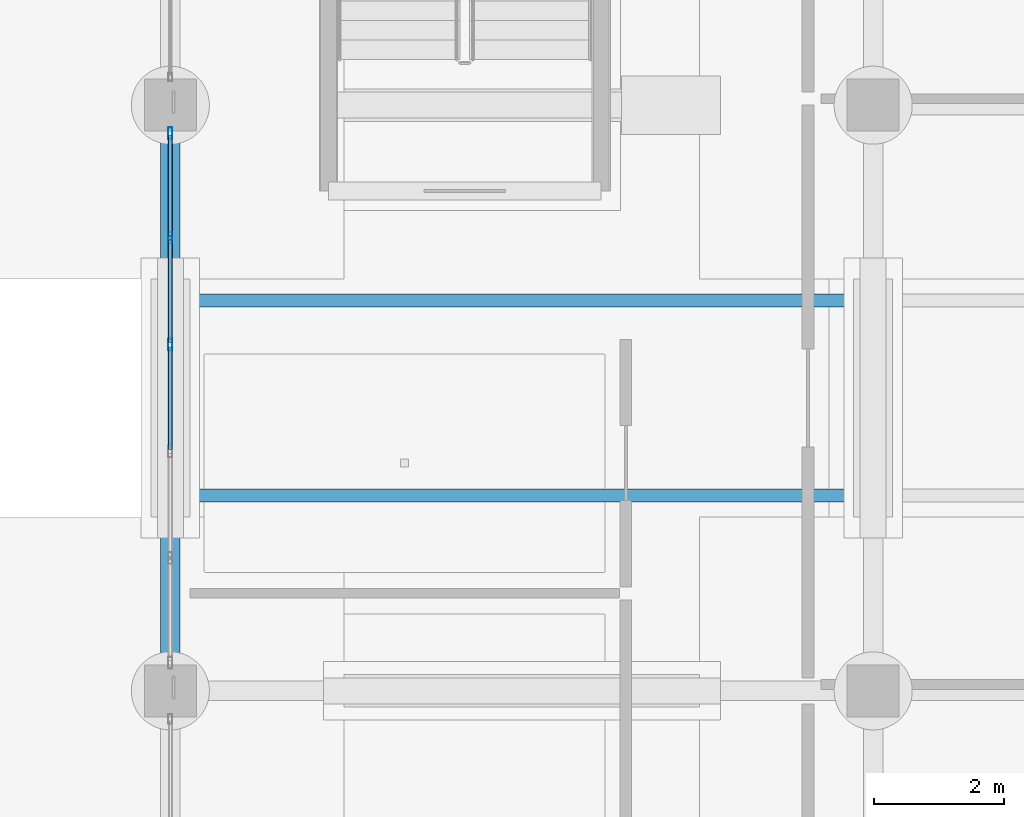
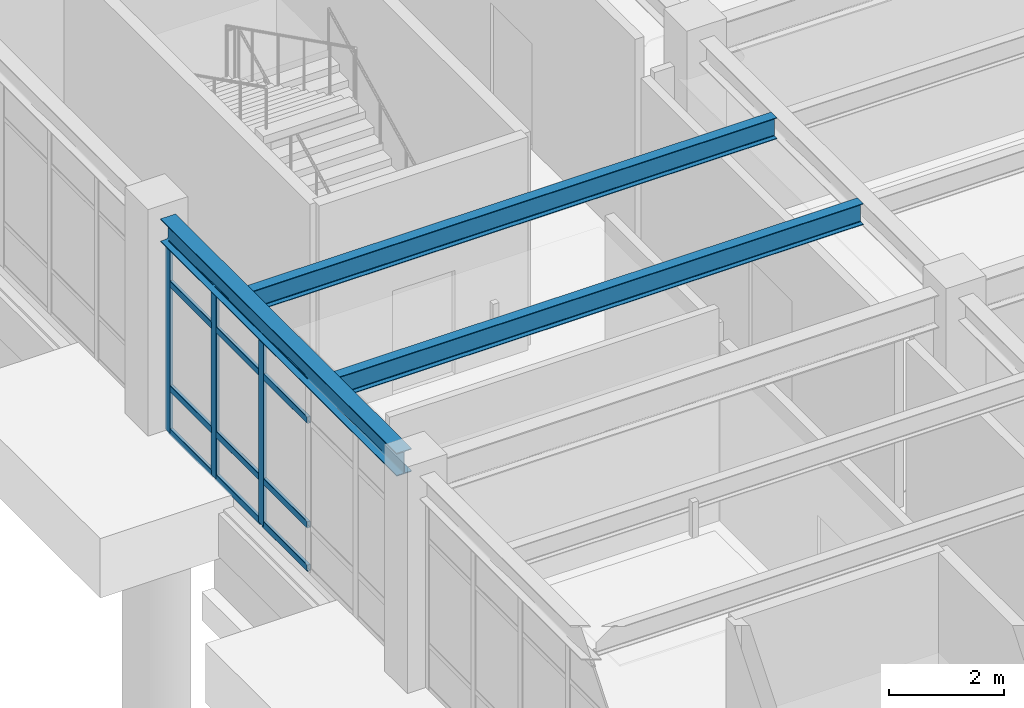
# One storey, part 41 of 98: 15 members, 3 beams, 1 element without a shape of its own.
"""IFC4 building model written with IfcOpenShell, lengths in metres."""

import ifcopenshell
import ifcopenshell.guid

model = None  # the IFC model being written
_history = None  # IfcOwnerHistory: only IFC2X3 demands one
_inside = {}  # id of a spatial element -> (the spatial element, [elements in it])
_under = {}  # id of a project, library or spatial element -> (it, [spatial elements below it])
_declared = {}  # id of a project -> (the project, [libraries it declares])
_typed = {}  # id of a type object -> (the type object, [elements of that type])
_made_of = {}  # id of a material, layer set ... -> (it, [elements and type objects made of it])


def new_model(schema):
    """Start an empty IFC model of exactly this schema.

    Asked for "IFC4X3", IfcOpenShell would pick the latest addendum, in which some entities
    have other attributes; the version numbers below select the first issue.
    IFC2X3 requires an IfcOwnerHistory on every rooted entity: one is made here for all.
    """
    global model, _history
    if schema == "IFC4X3":
        model = ifcopenshell.file(schema_version=(4, 3, 0, 0))
    else:
        model = ifcopenshell.file(schema=schema)
    _inside.clear()
    _under.clear()
    _declared.clear()
    _typed.clear()
    _made_of.clear()
    _history = None
    if model.schema == "IFC2X3":
        org = make("IfcOrganization", Name="unknown")
        user = make(
            "IfcPersonAndOrganization",
            ThePerson=make("IfcPerson", FamilyName="unknown"),
            TheOrganization=org,
        )
        app = make(
            "IfcApplication",
            ApplicationDeveloper=org,
            Version="unknown",
            ApplicationFullName="unknown",
            ApplicationIdentifier="unknown",
        )
        _history = make(
            "IfcOwnerHistory",
            OwningUser=user,
            OwningApplication=app,
            ChangeAction="ADDED",
            CreationDate=0,
        )
    return model


def make(cls, **values):
    """One entity of the class cls with the attributes given. An attribute that is None is left unset."""
    return model.create_entity(
        cls, **{name: value for name, value in values.items() if value is not None}
    )


def rooted(cls, **values):
    """An entity with a GlobalId (a new one), such as an element, a storey or a relation."""
    return make(cls, GlobalId=ifcopenshell.guid.new(), OwnerHistory=_history, **values)


def si_unit(unit_type, name, prefix=None):
    """IfcSIUnit, for example si_unit("LENGTHUNIT", "METRE", prefix="MILLI")."""
    return make("IfcSIUnit", UnitType=unit_type, Prefix=prefix, Name=name)


def assignment(units):
    """IfcUnitAssignment: the units of a project."""
    return None if units is None else make("IfcUnitAssignment", Units=units)


def point(xyz):
    """IfcCartesianPoint."""
    return None if xyz is None else make("IfcCartesianPoint", Coordinates=xyz)


def direction(xyz):
    """IfcDirection."""
    return None if xyz is None else make("IfcDirection", DirectionRatios=xyz)


def frame(location, z_axis=None, x_axis=None):
    """IfcAxis2Placement3D, a coordinate frame: its origin and axes. An axis left out is left unset."""
    return make(
        "IfcAxis2Placement3D",
        Location=point(location),
        Axis=direction(z_axis),
        RefDirection=direction(x_axis),
    )


def frame_2d(location, x_axis=None):
    """IfcAxis2Placement2D, a coordinate frame in the plane: its origin and x axis."""
    return make(
        "IfcAxis2Placement2D", Location=point(location), RefDirection=direction(x_axis)
    )


def origin():
    """The frame at (0, 0, 0) with its axes left unset."""
    return frame((0.0, 0.0, 0.0))


def origin_2d():
    """The frame at (0, 0) in the plane with its x axis left unset."""
    return frame_2d((0.0, 0.0))


def place(relative_to, where):
    """IfcLocalPlacement: puts the frame where relative to a parent placement (None: the world)."""
    return make(
        "IfcLocalPlacement", PlacementRelTo=relative_to, RelativePlacement=where
    )


def context(
    kind, dimensions, precision=None, world=None, true_north=None, identifier=None
):
    """IfcGeometricRepresentationContext, for example the 3D "Model" context."""
    return make(
        "IfcGeometricRepresentationContext",
        ContextIdentifier=identifier,
        ContextType=kind,
        CoordinateSpaceDimension=dimensions,
        Precision=precision,
        WorldCoordinateSystem=world,
        TrueNorth=true_north,
    )


def subcontext(parent, identifier, kind, view, scale=None):
    """IfcGeometricRepresentationSubContext, for example "Body" below "Model"."""
    return make(
        "IfcGeometricRepresentationSubContext",
        ContextIdentifier=identifier,
        ContextType=kind,
        ParentContext=parent,
        TargetScale=scale,
        TargetView=view,
    )


def project(units=None, contexts=None):
    """IfcProject with its units and contexts."""
    return rooted(
        "IfcProject",
        Name="project",
        RepresentationContexts=contexts,
        UnitsInContext=assignment(units),
    )


def spatial(cls, under=None, at=None, **own):
    """A site, building, storey or space (cls), placed at a placement, below another one or the project."""
    s = rooted(cls, ObjectPlacement=at, **own)
    if under is not None:
        _under.setdefault(under.id(), (under, []))[1].append(s)
    return s


def profile(cls, at=None, kind="AREA", **sizes):
    """A parametric profile (cls). Its sizes go by their IFC names, for example OverallWidth=200.0."""
    return make(cls, ProfileType=kind, Position=at, **sizes)


def hollow_rectangle(**sizes):
    """IfcRectangleHollowProfileDef."""
    return profile("IfcRectangleHollowProfileDef", **sizes)


def i_section(**sizes):
    """IfcIShapeProfileDef."""
    return profile("IfcIShapeProfileDef", **sizes)


def extrude(swept, where, along, depth):
    """IfcExtrudedAreaSolid: the profile swept, set in the frame where, extruded along a direction by depth."""
    return make(
        "IfcExtrudedAreaSolid",
        SweptArea=swept,
        Position=where,
        ExtrudedDirection=direction(along),
        Depth=depth,
    )


def shape(context_of_items, identifier, shape_type, items):
    """IfcShapeRepresentation: the items that make up one representation, for example the "Body"."""
    return make(
        "IfcShapeRepresentation",
        ContextOfItems=context_of_items,
        RepresentationIdentifier=identifier,
        RepresentationType=shape_type,
        Items=items,
    )


def material(Name=None, Category=None):
    """IfcMaterial."""
    return make("IfcMaterial", Name=Name, Category=Category)


def material_profile(
    of_material, cross_section, Name=None, Category=None, Priority=None
):
    """IfcMaterialProfile: a cross section and its material."""
    return make(
        "IfcMaterialProfile",
        Name=Name,
        Material=of_material,
        Profile=cross_section,
        Priority=Priority,
        Category=Category,
    )


def profile_set(profiles, Name=None, composite=None):
    """IfcMaterialProfileSet."""
    return make(
        "IfcMaterialProfileSet",
        Name=Name,
        MaterialProfiles=profiles,
        CompositeProfile=composite,
    )


def made_of(thing, what):
    """Note that an element or type object is made of a material, layer set ...; save() writes the relation."""
    if what is not None:
        _made_of.setdefault(what.id(), (what, []))[1].append(thing)
    return thing


def type_object(cls, material=None, **own):
    """A type object (cls), such as IfcWallType, which elements share."""
    return made_of(rooted(cls, **own), material)


def element(
    cls,
    number,
    at=None,
    inside=None,
    cuts=None,
    type_object=None,
    material=None,
    context=None,
    identifier="Body",
    shape_type=None,
    held_by="IfcProductDefinitionShape",
    body=None,
    shapes=None,
    **own,
):
    """One element of the class cls, such as IfcWall. Its Tag is "e" and its number.

    at: its placement. inside: the storey or other place that contains it. cuts: it is an
    opening in that element (IfcRelVoidsElement). A single representation is given by context,
    identifier, shape_type and body (its items); several are given by shapes. held_by: the class
    of the entity that holds the representations. save() writes the other relations.
    """
    e = rooted(cls, Tag="e%d" % number, ObjectPlacement=at, **own)
    if body is not None:
        shapes = [shape(context, identifier, shape_type, body)]
    if shapes is not None:
        e.Representation = make(held_by, Representations=shapes)
    if inside is not None:
        _inside.setdefault(inside.id(), (inside, []))[1].append(e)
    if cuts is not None:
        rooted(
            "IfcRelVoidsElement", RelatingBuildingElement=cuts, RelatedOpeningElement=e
        )
    if type_object is not None:
        _typed.setdefault(type_object.id(), (type_object, []))[1].append(e)
    return made_of(e, material)


def aggregate(whole, parts):
    """IfcRelAggregates: a whole, such as a stair, and the parts it consists of."""
    return rooted("IfcRelAggregates", RelatingObject=whole, RelatedObjects=parts)


def save(model, path):
    """Write the relations noted so far, then the file.

    IfcRelAggregates (storeys below a building ...), IfcRelContainedInSpatialStructure (elements
    in a storey), IfcRelDefinesByType, IfcRelAssociatesMaterial and IfcRelDeclares: one each for
    every whole, place, type object, material and project.
    """
    for whole, parts in _under.values():
        aggregate(whole, parts)
    for where, things in _inside.values():
        rooted(
            "IfcRelContainedInSpatialStructure",
            RelatedElements=things,
            RelatingStructure=where,
        )
    for kind, things in _typed.values():
        rooted("IfcRelDefinesByType", RelatedObjects=things, RelatingType=kind)
    for what, things in _made_of.values():
        rooted("IfcRelAssociatesMaterial", RelatedObjects=things, RelatingMaterial=what)
    for by, libraries in _declared.values():
        rooted("IfcRelDeclares", RelatingContext=by, RelatedDefinitions=libraries)
    model.write(path)


model = new_model("IFC4")

# Units and contexts
model_context = context("Model", 3, precision=1e-05, world=origin(), true_north=direction((0.0, 1.0)))
body_context = subcontext(model_context, "Body", "Model", "MODEL_VIEW")
ifc_project = project(units=[si_unit("LENGTHUNIT", "METRE"), si_unit("AREAUNIT", "SQUARE_METRE"), si_unit("VOLUMEUNIT", "CUBIC_METRE"), si_unit("PLANEANGLEUNIT", "RADIAN"), si_unit("MASSUNIT", "GRAM", prefix="KILO")], contexts=[model_context])

# Site, building, storey
site_placement = place(None, origin())
site = spatial("IfcSite", under=ifc_project, at=site_placement, CompositionType="ELEMENT")
building_placement = place(site_placement, origin())
building = spatial("IfcBuilding", under=site, at=building_placement, Name="Canglan Escarpment Cableway Terminal", CompositionType="ELEMENT")
storey_placement = place(building_placement, frame((0.0, 0.0, 9.60009765625)))
storey = spatial("IfcBuildingStorey", under=building, at=storey_placement, Name="L02", CompositionType="ELEMENT", Elevation=9.60009765625)

# Beam
ifc_material_1 = material(Name="Steel Q355B", Category="steel")
ifc_material_profile_1 = material_profile(ifc_material_1, i_section(OverallWidth=0.300048828125, OverallDepth=0.488037109375, WebThickness=0.010986328125, FlangeThickness=0.01806640625, FilletRadius=0.02587890625, at=origin_2d()), Name="HM 488x300x11x18")
ifc_profile_set_1 = profile_set([ifc_material_profile_1], Name="Steel Q355B")
beam_type_1 = type_object("IfcBeamType", Name="BM-HM488", PredefinedType="BEAM", material=ifc_profile_set_1)
beam_placement = place(storey_placement, frame((115.10009765625, 61.39990234375, 4.27587890625), z_axis=(0.0, 1.0, 0.0), x_axis=(-1.0, 0.0, 0.0)))
element("IfcBeam", 1, at=beam_placement, inside=storey, type_object=beam_type_1, Name="Primary transverse girder B-09", PredefinedType="BEAM", context=body_context, shape_type="SweptSolid", body=[
    extrude(i_section(OverallWidth=0.300048828125, OverallDepth=0.488037109375, WebThickness=0.010986328125, FlangeThickness=0.01806640625, FilletRadius=0.02587890625, at=origin_2d()), origin(), (0.0, 0.0, 1.0), 8.2001953125),
])

# Curtain wall, members
ifc_material_2 = material(Name="Anodized bronze aluminium and Low-E double glazing", Category="aluminium")
curtain_wall_type = type_object("IfcCurtainWallType", Name="CW-BAY-8200x4025", PredefinedType="NOTDEFINED", material=ifc_material_2)
curtain_wall_placement = place(storey_placement, origin())
curtain_wall = element("IfcCurtainWall", 2, at=curtain_wall_placement, inside=storey, type_object=curtain_wall_type, Name="Classical bay-between-piers glazed curtain wall CW-44", PredefinedType="NOTDEFINED")
ifc_material_3 = material(Name="Thermally broken anodized aluminium 6063-T6", Category="aluminium")
ifc_material_profile_2 = material_profile(ifc_material_3, hollow_rectangle(XDim=0.06494140625, YDim=0.179931640625, WallThickness=0.00390625, InnerFilletRadius=0.00390625, OuterFilletRadius=0.008056640625, at=origin_2d()), Name="ALU-MULL 65x180x4")
ifc_profile_set_2 = profile_set([ifc_material_profile_2], Name="Thermally broken anodized aluminium 6063-T6")
member_type_1 = type_object("IfcMemberType", Name="CWM-03", PredefinedType="MULLION", material=ifc_profile_set_2)
member_1_placement = place(storey_placement, frame((115.10009765625, 69.5673828125, 0.0), z_axis=(0.0, 0.0, 1.0), x_axis=(1.0, 0.0, 0.0)))
member_1 = element("IfcMember", 3, at=member_1_placement, type_object=member_type_1, Name="CW-44 mullion 1", PredefinedType="MULLION", context=body_context, shape_type="SweptSolid", body=[
    extrude(hollow_rectangle(XDim=0.06494140625, YDim=0.179931640625, WallThickness=0.00390625, InnerFilletRadius=0.00390625, OuterFilletRadius=0.008056640625, at=origin_2d()), origin(), (0.0, 0.0, 1.0), 4.016845703125),
])
member_2_placement = place(storey_placement, frame((115.10009765625, 67.9599609375, 0.0), z_axis=(0.0, 0.0, 1.0), x_axis=(1.0, 0.0, 0.0)))
member_2 = element("IfcMember", 4, at=member_2_placement, type_object=member_type_1, Name="CW-44 mullion 2", PredefinedType="MULLION", context=body_context, shape_type="SweptSolid", body=[
    extrude(hollow_rectangle(XDim=0.06494140625, YDim=0.179931640625, WallThickness=0.00390625, InnerFilletRadius=0.00390625, OuterFilletRadius=0.008056640625, at=origin_2d()), origin(), (0.0, 0.0, 1.0), 4.016845703125),
])
member_3_placement = place(storey_placement, frame((115.10009765625, 66.320068359375, 0.0), z_axis=(0.0, 0.0, 1.0), x_axis=(1.0, 0.0, 0.0)))
member_3 = element("IfcMember", 5, at=member_3_placement, type_object=member_type_1, Name="CW-44 mullion 3", PredefinedType="MULLION", context=body_context, shape_type="SweptSolid", body=[
    extrude(hollow_rectangle(XDim=0.06494140625, YDim=0.179931640625, WallThickness=0.00390625, InnerFilletRadius=0.00390625, OuterFilletRadius=0.008056640625, at=origin_2d()), origin(), (0.0, 0.0, 1.0), 4.016845703125),
])
ifc_material_profile_3 = material_profile(ifc_material_3, hollow_rectangle(XDim=0.06494140625, YDim=0.139892578125, WallThickness=0.00341796875, InnerFilletRadius=0.00341796875, OuterFilletRadius=0.007080078125, at=origin_2d()), Name="ALU-TRAN 65x140x3.5")
ifc_profile_set_3 = profile_set([ifc_material_profile_3], Name="Thermally broken anodized aluminium 6063-T6")
member_type_2 = type_object("IfcMemberType", Name="CWT-03", PredefinedType="USERDEFINED", material=ifc_profile_set_3)
member_4_placement = place(storey_placement, frame((115.10009765625, 69.534912109375, 0.032470703125), z_axis=(0.0, -1.0, 0.0), x_axis=(1.0, 0.0, 0.0)))
member_4 = element("IfcMember", 6, at=member_4_placement, type_object=member_type_2, Name="CW-44 transom 1.1", ObjectType="TRANSOM", PredefinedType="USERDEFINED", context=body_context, shape_type="SweptSolid", body=[
    extrude(hollow_rectangle(XDim=0.06494140625, YDim=0.139892578125, WallThickness=0.00341796875, InnerFilletRadius=0.00341796875, OuterFilletRadius=0.007080078125, at=origin_2d()), origin(), (0.0, 0.0, 1.0), 1.54248046875),
])
member_5_placement = place(storey_placement, frame((115.10009765625, 69.534912109375, 0.949951171875), z_axis=(0.0, -1.0, 0.0), x_axis=(1.0, 0.0, 0.0)))
member_5 = element("IfcMember", 7, at=member_5_placement, type_object=member_type_2, Name="CW-44 transom 1.2", ObjectType="TRANSOM", PredefinedType="USERDEFINED", context=body_context, shape_type="SweptSolid", body=[
    extrude(hollow_rectangle(XDim=0.06494140625, YDim=0.139892578125, WallThickness=0.00341796875, InnerFilletRadius=0.00341796875, OuterFilletRadius=0.007080078125, at=origin_2d()), origin(), (0.0, 0.0, 1.0), 1.54248046875),
])
member_6_placement = place(storey_placement, frame((115.10009765625, 69.534912109375, 3.1669921875), z_axis=(0.0, -1.0, 0.0), x_axis=(1.0, 0.0, 0.0)))
member_6 = element("IfcMember", 8, at=member_6_placement, type_object=member_type_2, Name="CW-44 transom 1.3", ObjectType="TRANSOM", PredefinedType="USERDEFINED", context=body_context, shape_type="SweptSolid", body=[
    extrude(hollow_rectangle(XDim=0.06494140625, YDim=0.139892578125, WallThickness=0.00341796875, InnerFilletRadius=0.00341796875, OuterFilletRadius=0.007080078125, at=origin_2d()), origin(), (0.0, 0.0, 1.0), 1.54248046875),
])
member_7_placement = place(storey_placement, frame((115.10009765625, 69.534912109375, 3.984375), z_axis=(0.0, -1.0, 0.0), x_axis=(1.0, 0.0, 0.0)))
member_7 = element("IfcMember", 9, at=member_7_placement, type_object=member_type_2, Name="CW-44 transom 1.4", ObjectType="TRANSOM", PredefinedType="USERDEFINED", context=body_context, shape_type="SweptSolid", body=[
    extrude(hollow_rectangle(XDim=0.06494140625, YDim=0.139892578125, WallThickness=0.00341796875, InnerFilletRadius=0.00341796875, OuterFilletRadius=0.007080078125, at=origin_2d()), origin(), (0.0, 0.0, 1.0), 1.54248046875),
])
member_8_placement = place(storey_placement, frame((115.10009765625, 67.927490234375, 0.032470703125), z_axis=(0.0, -1.0, 0.0), x_axis=(1.0, 0.0, 0.0)))
member_8 = element("IfcMember", 10, at=member_8_placement, type_object=member_type_2, Name="CW-44 transom 2.1", ObjectType="TRANSOM", PredefinedType="USERDEFINED", context=body_context, shape_type="SweptSolid", body=[
    extrude(hollow_rectangle(XDim=0.06494140625, YDim=0.139892578125, WallThickness=0.00341796875, InnerFilletRadius=0.00341796875, OuterFilletRadius=0.007080078125, at=origin_2d()), origin(), (0.0, 0.0, 1.0), 1.574951171875),
])
member_9_placement = place(storey_placement, frame((115.10009765625, 67.927490234375, 0.949951171875), z_axis=(0.0, -1.0, 0.0), x_axis=(1.0, 0.0, 0.0)))
member_9 = element("IfcMember", 11, at=member_9_placement, type_object=member_type_2, Name="CW-44 transom 2.2", ObjectType="TRANSOM", PredefinedType="USERDEFINED", context=body_context, shape_type="SweptSolid", body=[
    extrude(hollow_rectangle(XDim=0.06494140625, YDim=0.139892578125, WallThickness=0.00341796875, InnerFilletRadius=0.00341796875, OuterFilletRadius=0.007080078125, at=origin_2d()), origin(), (0.0, 0.0, 1.0), 1.574951171875),
])
member_10_placement = place(storey_placement, frame((115.10009765625, 67.927490234375, 3.1669921875), z_axis=(0.0, -1.0, 0.0), x_axis=(1.0, 0.0, 0.0)))
member_10 = element("IfcMember", 12, at=member_10_placement, type_object=member_type_2, Name="CW-44 transom 2.3", ObjectType="TRANSOM", PredefinedType="USERDEFINED", context=body_context, shape_type="SweptSolid", body=[
    extrude(hollow_rectangle(XDim=0.06494140625, YDim=0.139892578125, WallThickness=0.00341796875, InnerFilletRadius=0.00341796875, OuterFilletRadius=0.007080078125, at=origin_2d()), origin(), (0.0, 0.0, 1.0), 1.574951171875),
])
member_11_placement = place(storey_placement, frame((115.10009765625, 67.927490234375, 3.984375), z_axis=(0.0, -1.0, 0.0), x_axis=(1.0, 0.0, 0.0)))
member_11 = element("IfcMember", 13, at=member_11_placement, type_object=member_type_2, Name="CW-44 transom 2.4", ObjectType="TRANSOM", PredefinedType="USERDEFINED", context=body_context, shape_type="SweptSolid", body=[
    extrude(hollow_rectangle(XDim=0.06494140625, YDim=0.139892578125, WallThickness=0.00341796875, InnerFilletRadius=0.00341796875, OuterFilletRadius=0.007080078125, at=origin_2d()), origin(), (0.0, 0.0, 1.0), 1.574951171875),
])
member_12_placement = place(storey_placement, frame((115.10009765625, 66.28759765625, 0.032470703125), z_axis=(0.0, -1.0, 0.0), x_axis=(1.0, 0.0, 0.0)))
member_12 = element("IfcMember", 14, at=member_12_placement, type_object=member_type_2, Name="CW-44 transom 3.1", ObjectType="TRANSOM", PredefinedType="USERDEFINED", context=body_context, shape_type="SweptSolid", body=[
    extrude(hollow_rectangle(XDim=0.06494140625, YDim=0.139892578125, WallThickness=0.00341796875, InnerFilletRadius=0.00341796875, OuterFilletRadius=0.007080078125, at=origin_2d()), origin(), (0.0, 0.0, 1.0), 1.5751953125),
])
member_13_placement = place(storey_placement, frame((115.10009765625, 66.28759765625, 0.949951171875), z_axis=(0.0, -1.0, 0.0), x_axis=(1.0, 0.0, 0.0)))
member_13 = element("IfcMember", 15, at=member_13_placement, type_object=member_type_2, Name="CW-44 transom 3.2", ObjectType="TRANSOM", PredefinedType="USERDEFINED", context=body_context, shape_type="SweptSolid", body=[
    extrude(hollow_rectangle(XDim=0.06494140625, YDim=0.139892578125, WallThickness=0.00341796875, InnerFilletRadius=0.00341796875, OuterFilletRadius=0.007080078125, at=origin_2d()), origin(), (0.0, 0.0, 1.0), 1.5751953125),
])
member_14_placement = place(storey_placement, frame((115.10009765625, 66.28759765625, 3.1669921875), z_axis=(0.0, -1.0, 0.0), x_axis=(1.0, 0.0, 0.0)))
member_14 = element("IfcMember", 16, at=member_14_placement, type_object=member_type_2, Name="CW-44 transom 3.3", ObjectType="TRANSOM", PredefinedType="USERDEFINED", context=body_context, shape_type="SweptSolid", body=[
    extrude(hollow_rectangle(XDim=0.06494140625, YDim=0.139892578125, WallThickness=0.00341796875, InnerFilletRadius=0.00341796875, OuterFilletRadius=0.007080078125, at=origin_2d()), origin(), (0.0, 0.0, 1.0), 1.5751953125),
])
member_15_placement = place(storey_placement, frame((115.10009765625, 66.28759765625, 3.984375), z_axis=(0.0, -1.0, 0.0), x_axis=(1.0, 0.0, 0.0)))
member_15 = element("IfcMember", 17, at=member_15_placement, type_object=member_type_2, Name="CW-44 transom 3.4", ObjectType="TRANSOM", PredefinedType="USERDEFINED", context=body_context, shape_type="SweptSolid", body=[
    extrude(hollow_rectangle(XDim=0.06494140625, YDim=0.139892578125, WallThickness=0.00341796875, InnerFilletRadius=0.00341796875, OuterFilletRadius=0.007080078125, at=origin_2d()), origin(), (0.0, 0.0, 1.0), 1.5751953125),
])
aggregate(curtain_wall, [member_1, member_2, member_3, member_4, member_5, member_6, member_7, member_8, member_9, member_10, member_11, member_12, member_13, member_14, member_15])

# Beams
ifc_material_profile_4 = material_profile(ifc_material_1, i_section(OverallWidth=0.199951171875, OverallDepth=0.449951171875, WebThickness=0.009033203125, FlangeThickness=0.013916015625, FilletRadius=0.01806640625, at=origin_2d()), Name="HN 450x200x9x14")
ifc_profile_set_4 = profile_set([ifc_material_profile_4], Name="Steel Q355B")
beam_type_2 = type_object("IfcBeamType", Name="JS-HN450", PredefinedType="JOIST", material=ifc_profile_set_4)
for number, where, z_axis, x_axis, name in (
    (18, (115.25, 64.0, 4.294921875), (1.0, 0.0, 0.0), (0.0, 1.0, 0.0), "Secondary composite deck joist J-02"),
    (19, (115.25, 67.0, 4.294921875), (1.0, 0.0, 0.0), (0.0, 1.0, 0.0), "Secondary composite deck joist J-02"),
):
    element("IfcBeam", number, at=place(storey_placement, frame(where, z_axis=z_axis, x_axis=x_axis)), inside=storey, type_object=beam_type_2, Name=name, PredefinedType="JOIST", context=body_context, shape_type="SweptSolid", body=[
        extrude(i_section(OverallWidth=0.199951171875, OverallDepth=0.449951171875, WebThickness=0.009033203125, FlangeThickness=0.013916015625, FilletRadius=0.01806640625, at=origin_2d()), origin(), (0.0, 0.0, 1.0), 10.5),
    ])

save(model, "model.ifc")
